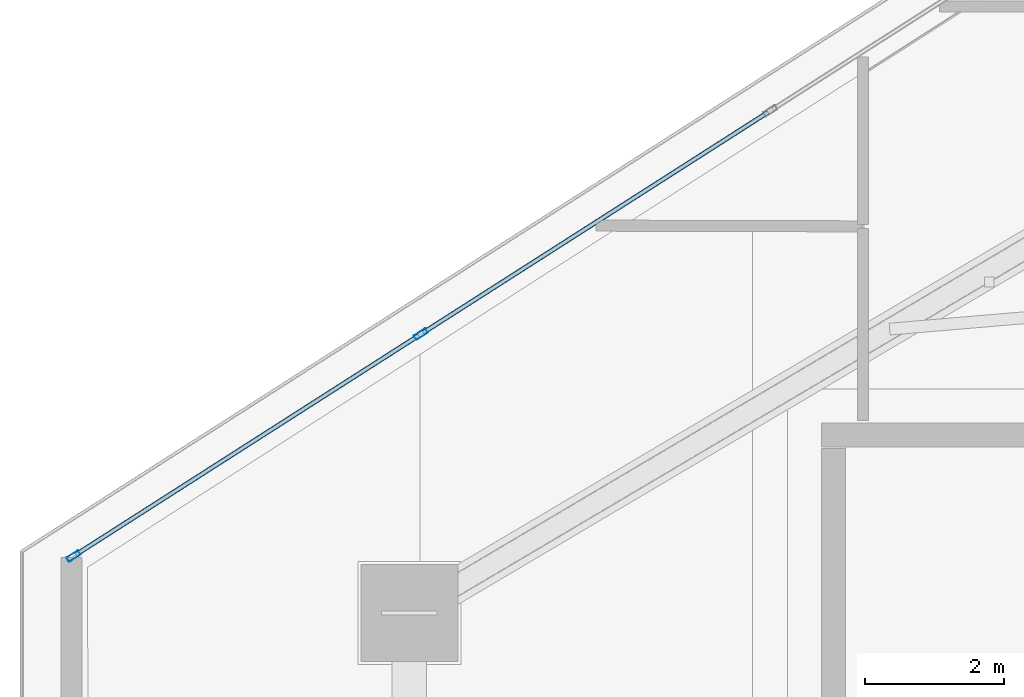
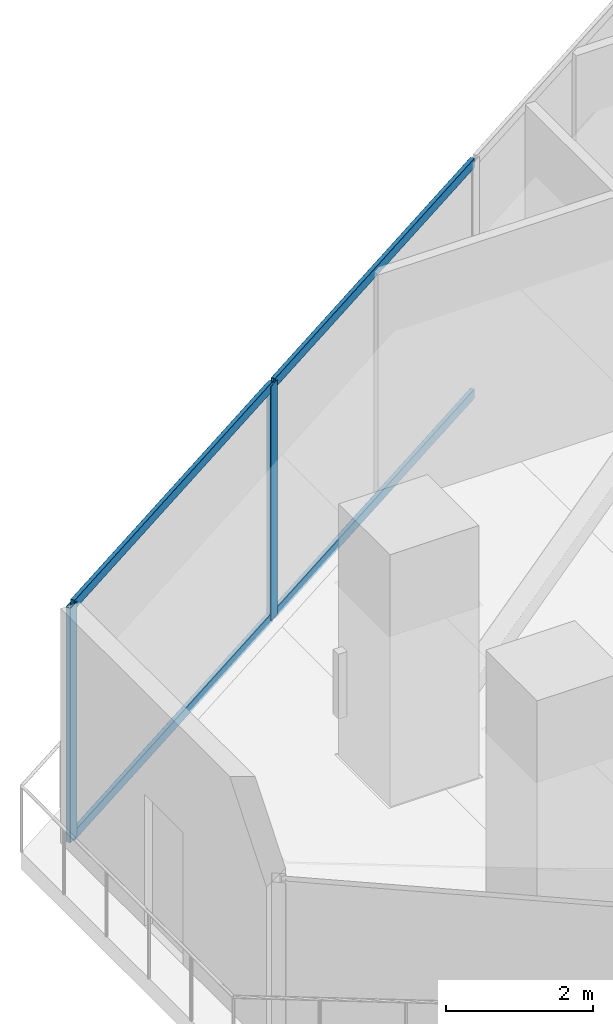
# One storey, part 7 of 30: 6 members, 1 element without a shape of its own.
"""IFC4 building model written with IfcOpenShell, lengths in metres."""

import ifcopenshell
import ifcopenshell.guid

model = None  # the IFC model being written
_history = None  # IfcOwnerHistory: only IFC2X3 demands one
_inside = {}  # id of a spatial element -> (the spatial element, [elements in it])
_under = {}  # id of a project, library or spatial element -> (it, [spatial elements below it])
_declared = {}  # id of a project -> (the project, [libraries it declares])
_typed = {}  # id of a type object -> (the type object, [elements of that type])
_made_of = {}  # id of a material, layer set ... -> (it, [elements and type objects made of it])


def new_model(schema):
    """Start an empty IFC model of exactly this schema.

    Asked for "IFC4X3", IfcOpenShell would pick the latest addendum, in which some entities
    have other attributes; the version numbers below select the first issue.
    IFC2X3 requires an IfcOwnerHistory on every rooted entity: one is made here for all.
    """
    global model, _history
    if schema == "IFC4X3":
        model = ifcopenshell.file(schema_version=(4, 3, 0, 0))
    else:
        model = ifcopenshell.file(schema=schema)
    _inside.clear()
    _under.clear()
    _declared.clear()
    _typed.clear()
    _made_of.clear()
    _history = None
    if model.schema == "IFC2X3":
        org = make("IfcOrganization", Name="unknown")
        user = make(
            "IfcPersonAndOrganization",
            ThePerson=make("IfcPerson", FamilyName="unknown"),
            TheOrganization=org,
        )
        app = make(
            "IfcApplication",
            ApplicationDeveloper=org,
            Version="unknown",
            ApplicationFullName="unknown",
            ApplicationIdentifier="unknown",
        )
        _history = make(
            "IfcOwnerHistory",
            OwningUser=user,
            OwningApplication=app,
            ChangeAction="ADDED",
            CreationDate=0,
        )
    return model


def make(cls, **values):
    """One entity of the class cls with the attributes given. An attribute that is None is left unset."""
    return model.create_entity(
        cls, **{name: value for name, value in values.items() if value is not None}
    )


def rooted(cls, **values):
    """An entity with a GlobalId (a new one), such as an element, a storey or a relation."""
    return make(cls, GlobalId=ifcopenshell.guid.new(), OwnerHistory=_history, **values)


def si_unit(unit_type, name, prefix=None):
    """IfcSIUnit, for example si_unit("LENGTHUNIT", "METRE", prefix="MILLI")."""
    return make("IfcSIUnit", UnitType=unit_type, Prefix=prefix, Name=name)


def assignment(units):
    """IfcUnitAssignment: the units of a project."""
    return None if units is None else make("IfcUnitAssignment", Units=units)


def point(xyz):
    """IfcCartesianPoint."""
    return None if xyz is None else make("IfcCartesianPoint", Coordinates=xyz)


def direction(xyz):
    """IfcDirection."""
    return None if xyz is None else make("IfcDirection", DirectionRatios=xyz)


def frame(location, z_axis=None, x_axis=None):
    """IfcAxis2Placement3D, a coordinate frame: its origin and axes. An axis left out is left unset."""
    return make(
        "IfcAxis2Placement3D",
        Location=point(location),
        Axis=direction(z_axis),
        RefDirection=direction(x_axis),
    )


def frame_2d(location, x_axis=None):
    """IfcAxis2Placement2D, a coordinate frame in the plane: its origin and x axis."""
    return make(
        "IfcAxis2Placement2D", Location=point(location), RefDirection=direction(x_axis)
    )


def origin():
    """The frame at (0, 0, 0) with its axes left unset."""
    return frame((0.0, 0.0, 0.0))


def origin_2d():
    """The frame at (0, 0) in the plane with its x axis left unset."""
    return frame_2d((0.0, 0.0))


def place(relative_to, where):
    """IfcLocalPlacement: puts the frame where relative to a parent placement (None: the world)."""
    return make(
        "IfcLocalPlacement", PlacementRelTo=relative_to, RelativePlacement=where
    )


def context(
    kind, dimensions, precision=None, world=None, true_north=None, identifier=None
):
    """IfcGeometricRepresentationContext, for example the 3D "Model" context."""
    return make(
        "IfcGeometricRepresentationContext",
        ContextIdentifier=identifier,
        ContextType=kind,
        CoordinateSpaceDimension=dimensions,
        Precision=precision,
        WorldCoordinateSystem=world,
        TrueNorth=true_north,
    )


def subcontext(parent, identifier, kind, view, scale=None):
    """IfcGeometricRepresentationSubContext, for example "Body" below "Model"."""
    return make(
        "IfcGeometricRepresentationSubContext",
        ContextIdentifier=identifier,
        ContextType=kind,
        ParentContext=parent,
        TargetScale=scale,
        TargetView=view,
    )


def project(units=None, contexts=None):
    """IfcProject with its units and contexts."""
    return rooted(
        "IfcProject",
        Name="project",
        RepresentationContexts=contexts,
        UnitsInContext=assignment(units),
    )


def spatial(cls, under=None, at=None, **own):
    """A site, building, storey or space (cls), placed at a placement, below another one or the project."""
    s = rooted(cls, ObjectPlacement=at, **own)
    if under is not None:
        _under.setdefault(under.id(), (under, []))[1].append(s)
    return s


def profile(cls, at=None, kind="AREA", **sizes):
    """A parametric profile (cls). Its sizes go by their IFC names, for example OverallWidth=200.0."""
    return make(cls, ProfileType=kind, Position=at, **sizes)


def hollow_rectangle(**sizes):
    """IfcRectangleHollowProfileDef."""
    return profile("IfcRectangleHollowProfileDef", **sizes)


def extrude(swept, where, along, depth):
    """IfcExtrudedAreaSolid: the profile swept, set in the frame where, extruded along a direction by depth."""
    return make(
        "IfcExtrudedAreaSolid",
        SweptArea=swept,
        Position=where,
        ExtrudedDirection=direction(along),
        Depth=depth,
    )


def shape(context_of_items, identifier, shape_type, items):
    """IfcShapeRepresentation: the items that make up one representation, for example the "Body"."""
    return make(
        "IfcShapeRepresentation",
        ContextOfItems=context_of_items,
        RepresentationIdentifier=identifier,
        RepresentationType=shape_type,
        Items=items,
    )


def material(Name=None, Category=None):
    """IfcMaterial."""
    return make("IfcMaterial", Name=Name, Category=Category)


def layer(
    of_material, thickness, ventilated=None, Name=None, Category=None, Priority=None
):
    """IfcMaterialLayer: one layer of a wall or slab, of a material (None: an air gap)."""
    return make(
        "IfcMaterialLayer",
        Material=of_material,
        LayerThickness=thickness,
        IsVentilated=ventilated,
        Name=Name,
        Category=Category,
        Priority=Priority,
    )


def layer_set(layers, Name=None):
    """IfcMaterialLayerSet."""
    return make("IfcMaterialLayerSet", MaterialLayers=layers, LayerSetName=Name)


def material_profile(
    of_material, cross_section, Name=None, Category=None, Priority=None
):
    """IfcMaterialProfile: a cross section and its material."""
    return make(
        "IfcMaterialProfile",
        Name=Name,
        Material=of_material,
        Profile=cross_section,
        Priority=Priority,
        Category=Category,
    )


def profile_set(profiles, Name=None, composite=None):
    """IfcMaterialProfileSet."""
    return make(
        "IfcMaterialProfileSet",
        Name=Name,
        MaterialProfiles=profiles,
        CompositeProfile=composite,
    )


def made_of(thing, what):
    """Note that an element or type object is made of a material, layer set ...; save() writes the relation."""
    if what is not None:
        _made_of.setdefault(what.id(), (what, []))[1].append(thing)
    return thing


def type_object(cls, material=None, **own):
    """A type object (cls), such as IfcWallType, which elements share."""
    return made_of(rooted(cls, **own), material)


def element(
    cls,
    number,
    at=None,
    inside=None,
    cuts=None,
    type_object=None,
    material=None,
    context=None,
    identifier="Body",
    shape_type=None,
    held_by="IfcProductDefinitionShape",
    body=None,
    shapes=None,
    **own,
):
    """One element of the class cls, such as IfcWall. Its Tag is "e" and its number.

    at: its placement. inside: the storey or other place that contains it. cuts: it is an
    opening in that element (IfcRelVoidsElement). A single representation is given by context,
    identifier, shape_type and body (its items); several are given by shapes. held_by: the class
    of the entity that holds the representations. save() writes the other relations.
    """
    e = rooted(cls, Tag="e%d" % number, ObjectPlacement=at, **own)
    if body is not None:
        shapes = [shape(context, identifier, shape_type, body)]
    if shapes is not None:
        e.Representation = make(held_by, Representations=shapes)
    if inside is not None:
        _inside.setdefault(inside.id(), (inside, []))[1].append(e)
    if cuts is not None:
        rooted(
            "IfcRelVoidsElement", RelatingBuildingElement=cuts, RelatedOpeningElement=e
        )
    if type_object is not None:
        _typed.setdefault(type_object.id(), (type_object, []))[1].append(e)
    return made_of(e, material)


def aggregate(whole, parts):
    """IfcRelAggregates: a whole, such as a stair, and the parts it consists of."""
    return rooted("IfcRelAggregates", RelatingObject=whole, RelatedObjects=parts)


def save(model, path):
    """Write the relations noted so far, then the file.

    IfcRelAggregates (storeys below a building ...), IfcRelContainedInSpatialStructure (elements
    in a storey), IfcRelDefinesByType, IfcRelAssociatesMaterial and IfcRelDeclares: one each for
    every whole, place, type object, material and project.
    """
    for whole, parts in _under.values():
        aggregate(whole, parts)
    for where, things in _inside.values():
        rooted(
            "IfcRelContainedInSpatialStructure",
            RelatedElements=things,
            RelatingStructure=where,
        )
    for kind, things in _typed.values():
        rooted("IfcRelDefinesByType", RelatedObjects=things, RelatingType=kind)
    for what, things in _made_of.values():
        rooted("IfcRelAssociatesMaterial", RelatedObjects=things, RelatingMaterial=what)
    for by, libraries in _declared.values():
        rooted("IfcRelDeclares", RelatingContext=by, RelatedDefinitions=libraries)
    model.write(path)


model = new_model("IFC4")

# Units and contexts
model_context = context("Model", 3, precision=1e-05, world=origin(), true_north=direction((0.0, 1.0)))
body_context = subcontext(model_context, "Body", "Model", "MODEL_VIEW")
ifc_project = project(units=[si_unit("LENGTHUNIT", "METRE"), si_unit("AREAUNIT", "SQUARE_METRE"), si_unit("VOLUMEUNIT", "CUBIC_METRE"), si_unit("PLANEANGLEUNIT", "RADIAN"), si_unit("MASSUNIT", "GRAM", prefix="KILO")], contexts=[model_context])

# Site, building, storey
site_placement = place(None, origin())
site = spatial("IfcSite", under=ifc_project, at=site_placement, CompositionType="ELEMENT")
building_placement = place(site_placement, origin())
building = spatial("IfcBuilding", under=site, at=building_placement, Name="Qorvath Tower", CompositionType="ELEMENT")
storey_placement = place(building_placement, frame((0.0, 0.0, 301.800048828125)))
storey = spatial("IfcBuildingStorey", under=building, at=storey_placement, Name="L70", CompositionType="ELEMENT", Elevation=301.800048828125)

# Curtain wall, members
ifc_material_1 = material(Name="Anodised aluminium and triple low-E glass", Category="aluminium")
ifc_layer = layer(ifc_material_1, 0.179931640625)
ifc_layer_set = layer_set([ifc_layer], Name="CW-SYS-4")
curtain_wall_type = type_object("IfcCurtainWallType", Name="CW-SYS-4", PredefinedType="NOTDEFINED", material=ifc_layer_set)
curtain_wall_placement = place(storey_placement, origin())
curtain_wall = element("IfcCurtainWall", 1, at=curtain_wall_placement, inside=storey, type_object=curtain_wall_type, Name="Curtain Wall CW-4 CW-T-L70-16.3", PredefinedType="NOTDEFINED")
ifc_material_2 = material(Name="Anodised aluminium 6063-T6", Category="aluminium")
ifc_material_profile_1 = material_profile(ifc_material_2, hollow_rectangle(XDim=0.074951171875, YDim=0.199951171875, WallThickness=0.00390625, InnerFilletRadius=0.00390625, OuterFilletRadius=0.008056640625, at=origin_2d()), Name="CWM 200x75")
ifc_profile_set_1 = profile_set([ifc_material_profile_1], Name="Anodised aluminium 6063-T6")
member_type_1 = type_object("IfcMemberType", Name="CWM-200", PredefinedType="MULLION", material=ifc_profile_set_1)
member_1_placement = place(storey_placement, frame((-44.23681640625, 6.0302734375, 0.0), z_axis=(0.0, 0.0, 1.0), x_axis=(0.538527126724, -0.842608173342, 0.0)))
member_1 = element("IfcMember", 2, at=member_1_placement, type_object=member_type_1, Name="CW-4 mullion 3", PredefinedType="MULLION", context=body_context, shape_type="SweptSolid", body=[
    extrude(hollow_rectangle(XDim=0.074951171875, YDim=0.199951171875, WallThickness=0.00390625, InnerFilletRadius=0.00390625, OuterFilletRadius=0.008056640625, at=origin_2d()), origin(), (0.0, 0.0, 1.0), 3.909912109375),
])
member_2_placement = place(storey_placement, frame((-49.2451171875, 2.82958984375, 0.0), z_axis=(0.0, 0.0, 1.0), x_axis=(0.538527126724, -0.842608173342, 0.0)))
member_2 = element("IfcMember", 3, at=member_2_placement, type_object=member_type_1, Name="CW-4 mullion 4", PredefinedType="MULLION", context=body_context, shape_type="SweptSolid", body=[
    extrude(hollow_rectangle(XDim=0.074951171875, YDim=0.199951171875, WallThickness=0.00390625, InnerFilletRadius=0.00390625, OuterFilletRadius=0.008056640625, at=origin_2d()), origin(), (0.0, 0.0, 1.0), 3.909912109375),
])
ifc_material_3 = material(Name="Anodised aluminium 6063-T6", Category="aluminium")
ifc_material_profile_2 = material_profile(ifc_material_3, hollow_rectangle(XDim=0.06494140625, YDim=0.159912109375, WallThickness=0.00341796875, InnerFilletRadius=0.00341796875, OuterFilletRadius=0.007080078125, at=origin_2d()), Name="CWT 160x65")
ifc_profile_set_2 = profile_set([ifc_material_profile_2], Name="Anodised aluminium 6063-T6")
member_type_2 = type_object("IfcMemberType", Name="CWT-160", PredefinedType="USERDEFINED", material=ifc_profile_set_2)
member_3_placement = place(storey_placement, frame((-39.228515625, 9.231201171875, 0.032470703125), z_axis=(-0.842616547395, -0.538514024011, 0.0), x_axis=(0.538514024011, -0.842616547395, 0.0)))
member_3 = element("IfcMember", 4, at=member_3_placement, type_object=member_type_2, Name="CW-4 transom 2.1", ObjectType="TRANSOM", PredefinedType="USERDEFINED", context=body_context, shape_type="SweptSolid", body=[
    extrude(hollow_rectangle(XDim=0.06494140625, YDim=0.159912109375, WallThickness=0.00341796875, InnerFilletRadius=0.00341796875, OuterFilletRadius=0.007080078125, at=origin_2d()), origin(), (0.0, 0.0, 1.0), 5.90625),
])
member_4_placement = place(storey_placement, frame((-39.228515625, 9.231201171875, 3.87744140625), z_axis=(-0.842616547395, -0.538514024011, 0.0), x_axis=(0.538514024011, -0.842616547395, 0.0)))
member_4 = element("IfcMember", 5, at=member_4_placement, type_object=member_type_2, Name="CW-4 transom 2.2", ObjectType="TRANSOM", PredefinedType="USERDEFINED", context=body_context, shape_type="SweptSolid", body=[
    extrude(hollow_rectangle(XDim=0.06494140625, YDim=0.159912109375, WallThickness=0.00341796875, InnerFilletRadius=0.00341796875, OuterFilletRadius=0.007080078125, at=origin_2d()), origin(), (0.0, 0.0, 1.0), 5.90625),
])
member_5_placement = place(storey_placement, frame((-44.268310546875, 6.01025390625, 0.032470703125), z_axis=(-0.842596110321, -0.538546000702, 0.0), x_axis=(0.538546000702, -0.842596110321, 0.0)))
member_5 = element("IfcMember", 6, at=member_5_placement, type_object=member_type_2, Name="CW-4 transom 3.1", ObjectType="TRANSOM", PredefinedType="USERDEFINED", context=body_context, shape_type="SweptSolid", body=[
    extrude(hollow_rectangle(XDim=0.06494140625, YDim=0.159912109375, WallThickness=0.00341796875, InnerFilletRadius=0.00341796875, OuterFilletRadius=0.007080078125, at=origin_2d()), origin(), (0.0, 0.0, 1.0), 5.868896484375),
])
member_6_placement = place(storey_placement, frame((-44.268310546875, 6.01025390625, 3.87744140625), z_axis=(-0.842596110321, -0.538546000702, 0.0), x_axis=(0.538546000702, -0.842596110321, 0.0)))
member_6 = element("IfcMember", 7, at=member_6_placement, type_object=member_type_2, Name="CW-4 transom 3.2", ObjectType="TRANSOM", PredefinedType="USERDEFINED", context=body_context, shape_type="SweptSolid", body=[
    extrude(hollow_rectangle(XDim=0.06494140625, YDim=0.159912109375, WallThickness=0.00341796875, InnerFilletRadius=0.00341796875, OuterFilletRadius=0.007080078125, at=origin_2d()), origin(), (0.0, 0.0, 1.0), 5.868896484375),
])
aggregate(curtain_wall, [member_1, member_2, member_3, member_4, member_5, member_6])

save(model, "model.ifc")
